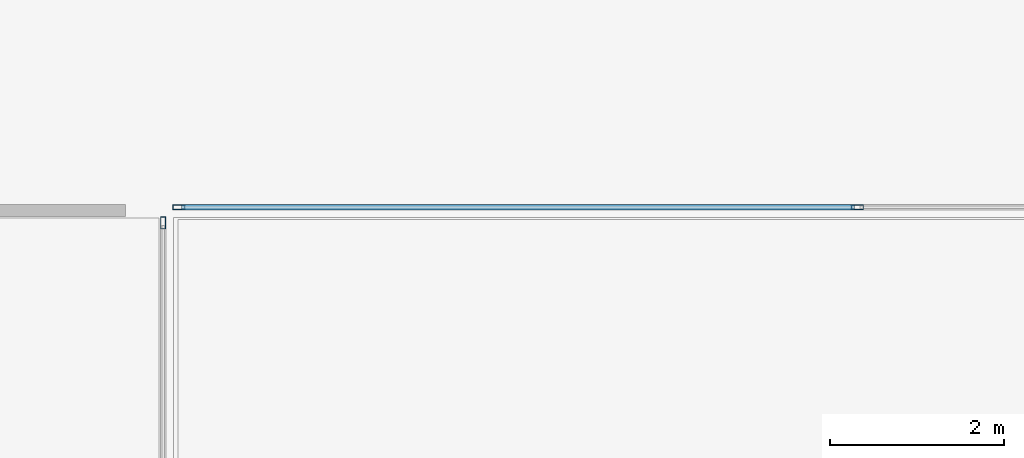
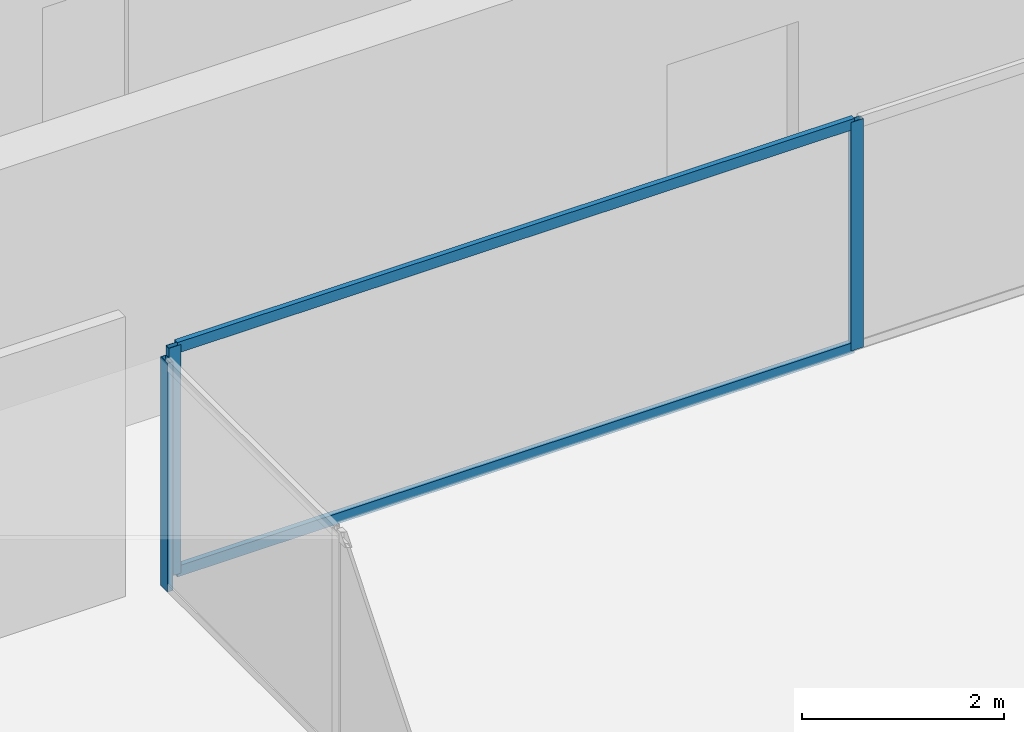
# One storey, part 10 of 30: 5 members, 2 elements without a shape of their own.
"""IFC4 building model written with IfcOpenShell, lengths in metres."""

from ifc_helpers import new_model, si_unit, direction, frame, origin, origin_2d, place, context, subcontext, project, spatial, hollow_rectangle, extrude, source, transform, mapped, material, layer, layer_set, material_profile, profile_set, type_object, element, aggregate, save


model = new_model("IFC4")

# Units and contexts
model_context = context("Model", 3, precision=1e-05, world=origin(), true_north=direction((0.0, 1.0)))
body_context = subcontext(model_context, "Body", "Model", "MODEL_VIEW")
ifc_project = project(units=[si_unit("LENGTHUNIT", "METRE"), si_unit("AREAUNIT", "SQUARE_METRE"), si_unit("VOLUMEUNIT", "CUBIC_METRE"), si_unit("PLANEANGLEUNIT", "RADIAN"), si_unit("MASSUNIT", "GRAM", prefix="KILO")], contexts=[model_context])

# Site, building, storey
site_placement = place(None, origin())
site = spatial("IfcSite", under=ifc_project, at=site_placement, CompositionType="ELEMENT")
building_placement = place(site_placement, origin())
building = spatial("IfcBuilding", under=site, at=building_placement, Name="Sumidabori Civic Tower", CompositionType="ELEMENT")
storey_placement = place(building_placement, frame((0.0, 0.0, 196.39990234375)))
storey = spatial("IfcBuildingStorey", under=building, at=storey_placement, Name="L50", CompositionType="ELEMENT", Elevation=196.39990234375)

# Curtain wall, member
ifc_material = material(Name="Anodised Bronze Aluminium AW-6063-T6", Category="aluminium")
ifc_layer = layer(ifc_material, 0.179931640625, Name="Anodised Bronze Aluminium AW-6063-T6")
ifc_layer_set = layer_set([ifc_layer], Name="Anodised Bronze Aluminium AW-6063-T6")
curtain_wall_type = type_object("IfcCurtainWallType", Name="CW-SYS-4", PredefinedType="NOTDEFINED", material=ifc_layer_set)
curtain_wall_1_placement = place(storey_placement, origin())
curtain_wall_1 = element("IfcCurtainWall", 1, at=curtain_wall_1_placement, inside=storey, type_object=curtain_wall_type, Name="Curtain Wall CW:L50:R04", PredefinedType="NOTDEFINED")
ifc_material_profile_1 = material_profile(ifc_material, hollow_rectangle(XDim=0.06005859375, YDim=0.139892578125, WallThickness=0.0048828125, at=origin_2d()), Name="ALU MULLION 140x60")
ifc_profile_set_1 = profile_set([ifc_material_profile_1], Name="Anodised Bronze Aluminium AW-6063-T6")
member_type_1 = type_object("IfcMemberType", Name="CW-MUL-140", PredefinedType="MULLION", material=ifc_profile_set_1)
shared_shape_1 = source(origin(), body_context, "Body", "SweptSolid", [
    extrude(hollow_rectangle(XDim=0.06005859375, YDim=0.139892578125, WallThickness=0.0048828125, at=origin_2d()), origin(), (0.0, 0.0, 1.0), 2.760009765625),
])
member_1_placement = place(storey_placement, frame((-7.969970703125, 7.340087890625, 0.0), z_axis=(0.0, 0.0, 1.0), x_axis=(-1.0, 0.0, 0.0)))
member_1 = element("IfcMember", 2, at=member_1_placement, type_object=member_type_1, Name="CW-4 mullion 3", PredefinedType="MULLION", context=body_context, shape_type="MappedRepresentation", body=[
    mapped(shared_shape_1, transform((0.0, 0.0, 0.0), x_axis=(1.0, 0.0, 0.0), y_axis=(0.0, 1.0, 0.0), z_axis=(0.0, 0.0, 1.0), scale=1.0)),
])
aggregate(curtain_wall_1, [member_1])

# Curtain wall, members
curtain_wall_2_placement = place(storey_placement, origin())
curtain_wall_2 = element("IfcCurtainWall", 3, at=curtain_wall_2_placement, inside=storey, type_object=curtain_wall_type, Name="Curtain Wall CW:L50:R05", PredefinedType="NOTDEFINED")
member_2_placement = place(storey_placement, frame((-7.7900390625, 7.52001953125, 0.0), z_axis=(0.0, 0.0, 1.0), x_axis=(0.0, 1.0, 0.0)))
member_2 = element("IfcMember", 4, at=member_2_placement, type_object=member_type_1, Name="CW-4 mullion 1", PredefinedType="MULLION", context=body_context, shape_type="MappedRepresentation", body=[
    mapped(shared_shape_1, transform((0.0, 0.0, 0.0), x_axis=(1.0, 0.0, 0.0), y_axis=(0.0, 1.0, 0.0), z_axis=(0.0, 0.0, 1.0), scale=1.0)),
])
member_3_placement = place(storey_placement, frame((0.0, 7.52001953125, 0.0), z_axis=(0.0, 0.0, 1.0), x_axis=(0.0, 1.0, 0.0)))
member_3 = element("IfcMember", 5, at=member_3_placement, type_object=member_type_1, Name="CW-4 mullion 2", PredefinedType="MULLION", context=body_context, shape_type="MappedRepresentation", body=[
    mapped(shared_shape_1, transform((0.0, 0.0, 0.0), x_axis=(1.0, 0.0, 0.0), y_axis=(0.0, 1.0, 0.0), z_axis=(0.0, 0.0, 1.0), scale=1.0)),
])
ifc_material_profile_2 = material_profile(ifc_material, hollow_rectangle(XDim=0.06005859375, YDim=0.1298828125, WallThickness=0.0048828125, at=origin_2d()), Name="ALU TRANSOM 130x60")
ifc_profile_set_2 = profile_set([ifc_material_profile_2], Name="Anodised Bronze Aluminium AW-6063-T6")
member_type_2 = type_object("IfcMemberType", Name="CW-TRN-130", PredefinedType="USERDEFINED", material=ifc_profile_set_2)
shared_shape_2 = source(origin(), body_context, "Body", "SweptSolid", [
    extrude(hollow_rectangle(XDim=0.06005859375, YDim=0.1298828125, WallThickness=0.0048828125, at=origin_2d()), origin(), (0.0, 0.0, 1.0), 7.72998046875),
])
member_4_placement = place(storey_placement, frame((-7.760009765625, 7.52001953125, 0.030029296875), z_axis=(1.0, 0.0, 0.0), x_axis=(0.0, 1.0, 0.0)))
member_4 = element("IfcMember", 6, at=member_4_placement, type_object=member_type_2, Name="CW-4 transom 1.1", ObjectType="TRANSOM", PredefinedType="USERDEFINED", context=body_context, shape_type="MappedRepresentation", body=[
    mapped(shared_shape_2, transform((0.0, 0.0, 0.0), x_axis=(1.0, 0.0, 0.0), y_axis=(0.0, 1.0, 0.0), z_axis=(0.0, 0.0, 1.0), scale=1.0)),
])
member_5_placement = place(storey_placement, frame((-7.760009765625, 7.52001953125, 2.72998046875), z_axis=(1.0, 0.0, 0.0), x_axis=(0.0, 1.0, 0.0)))
member_5 = element("IfcMember", 7, at=member_5_placement, type_object=member_type_2, Name="CW-4 transom 1.2", ObjectType="TRANSOM", PredefinedType="USERDEFINED", context=body_context, shape_type="MappedRepresentation", body=[
    mapped(shared_shape_2, transform((0.0, 0.0, 0.0), x_axis=(1.0, 0.0, 0.0), y_axis=(0.0, 1.0, 0.0), z_axis=(0.0, 0.0, 1.0), scale=1.0)),
])
aggregate(curtain_wall_2, [member_2, member_3, member_4, member_5])

save(model, "model.ifc")
